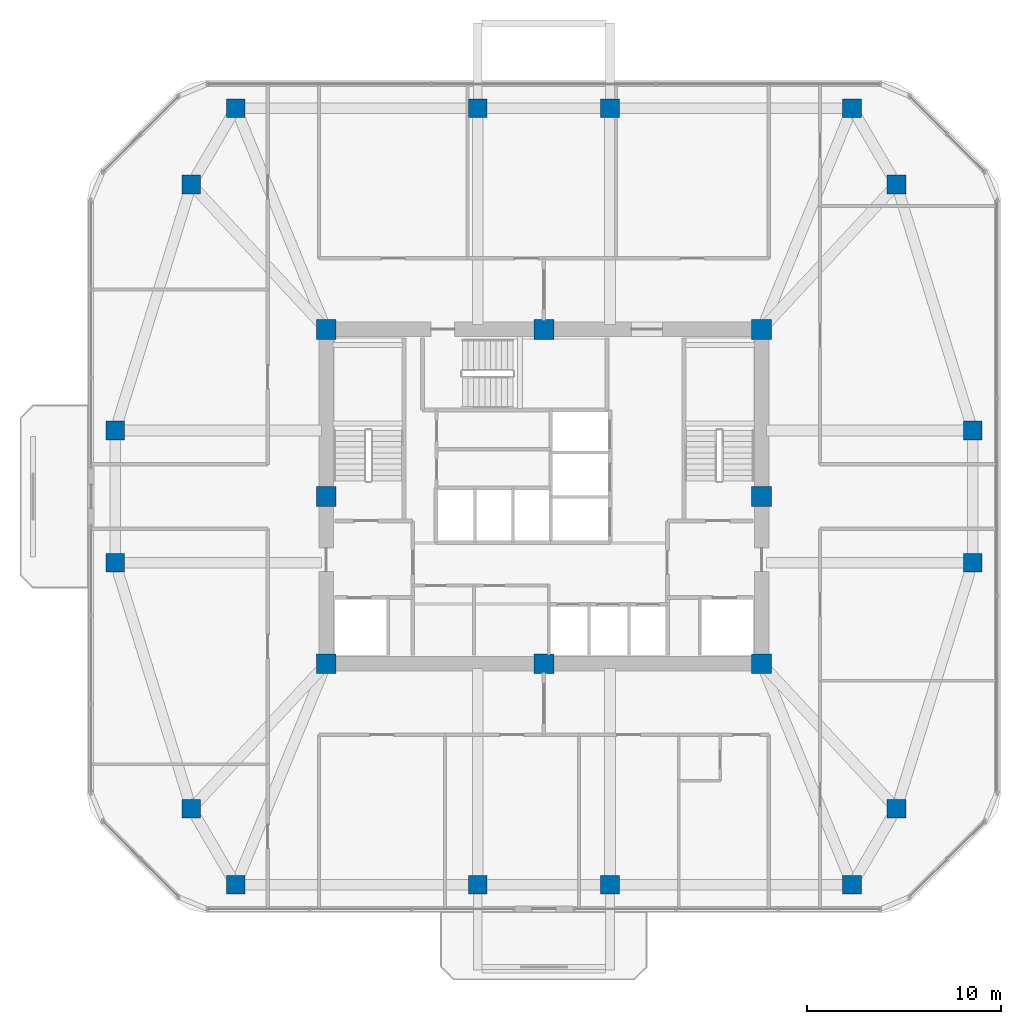
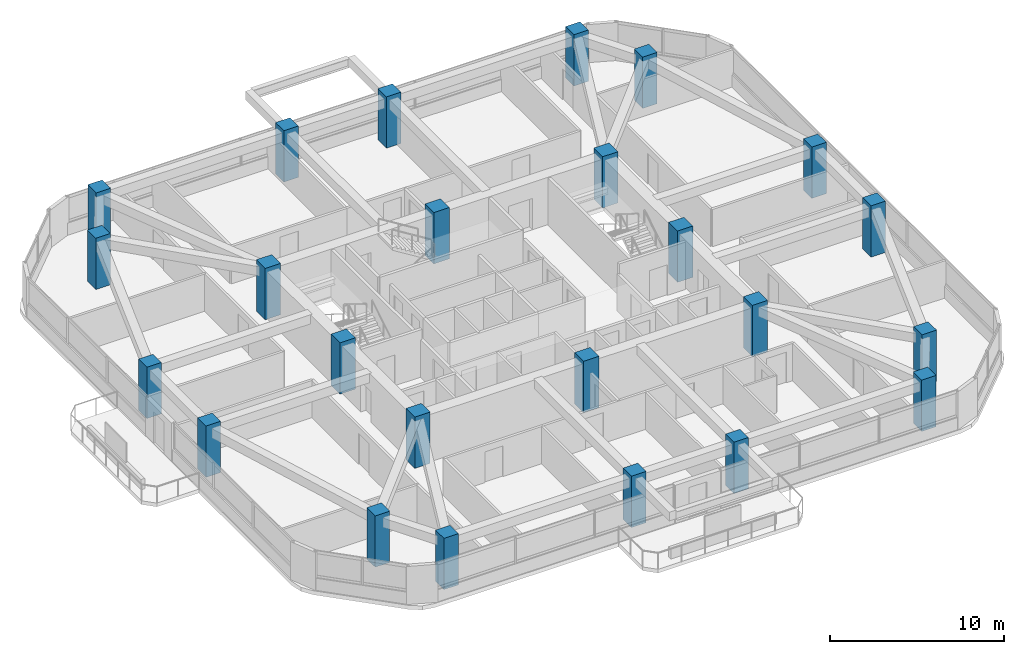
# One storey, part 1 of 12: 24 columns.
"""IFC4 building model written with IfcOpenShell, lengths in metres."""

from ifc_helpers import new_model, si_unit, derived_unit, direction, frame, origin, origin_2d, place, context, subcontext, project, spatial, rectangle, extrude, material, material_profile, profile_set, type_object, element, save


model = new_model("IFC4")

# Units and contexts
model_context = context("Model", 3, precision=1e-05, world=origin(), true_north=direction((0.0, 1.0)))
body_context = subcontext(model_context, "Body", "Model", "MODEL_VIEW")
ifc_project = project(units=[si_unit("LENGTHUNIT", "METRE"), si_unit("AREAUNIT", "SQUARE_METRE"), si_unit("VOLUMEUNIT", "CUBIC_METRE"), si_unit("PLANEANGLEUNIT", "RADIAN"), si_unit("MASSUNIT", "GRAM", prefix="KILO"), derived_unit("THERMALTRANSMITTANCEUNIT", [(si_unit("POWERUNIT", "WATT"), 1), (si_unit("LENGTHUNIT", "METRE"), -2), (si_unit("THERMODYNAMICTEMPERATUREUNIT", "KELVIN"), -1)])], contexts=[model_context])

# Site, building, storey
site_placement = place(None, origin())
site = spatial("IfcSite", under=ifc_project, at=site_placement, CompositionType="ELEMENT")
building_placement = place(site_placement, origin())
building = spatial("IfcBuilding", under=site, at=building_placement, Name="Koralith Skygarden Medical Center", CompositionType="ELEMENT")
storey_placement = place(building_placement, frame((0.0, 0.0, 163.6201171875)))
storey = spatial("IfcBuildingStorey", under=building, at=storey_placement, Name="L42", CompositionType="ELEMENT", Elevation=163.6201171875)

# Columns
ifc_material_1 = material(Name="Concrete C70/85", Category="concrete")
ifc_material_profile_1 = material_profile(ifc_material_1, rectangle(XDim=1.02001953125, YDim=1.02001953125, at=origin_2d()), Name="RC1020X1020")
ifc_profile_set_1 = profile_set([ifc_material_profile_1], Name="Concrete C70/85")
column_type_1 = type_object("IfcColumnType", Name="Core Mega-Column C70 RC1020", PredefinedType="COLUMN", material=ifc_profile_set_1)
for number, where, z_axis, x_axis, name in (
    (1, (25.800048828125, 17.300048828125, 0.0), (0.0, 0.0, 1.0), (1.0, 0.0, 0.0), "L42 Core Column CC-01"),
    (2, (37.0, 17.300048828125, 0.0), (0.0, 0.0, 1.0), (1.0, 0.0, 0.0), "L42 Core Column CC-02"),
    (3, (48.199951171875, 17.300048828125, 0.0), (0.0, 0.0, 1.0), (1.0, 0.0, 0.0), "L42 Core Column CC-03"),
    (4, (48.199951171875, 25.89990234375, 0.0), (0.0, 0.0, 1.0), (1.0, 0.0, 0.0), "L42 Core Column CC-04"),
    (5, (48.199951171875, 34.5, 0.0), (0.0, 0.0, 1.0), (1.0, 0.0, 0.0), "L42 Core Column CC-05"),
    (6, (37.0, 34.5, 0.0), (0.0, 0.0, 1.0), (1.0, 0.0, 0.0), "L42 Core Column CC-06"),
    (7, (25.800048828125, 34.5, 0.0), (0.0, 0.0, 1.0), (1.0, 0.0, 0.0), "L42 Core Column CC-07"),
    (8, (25.800048828125, 25.89990234375, 0.0), (0.0, 0.0, 1.0), (1.0, 0.0, 0.0), "L42 Core Column CC-08"),
):
    element("IfcColumn", number, at=place(storey_placement, frame(where, z_axis=z_axis, x_axis=x_axis)), inside=storey, type_object=column_type_1, Name=name, PredefinedType="COLUMN", context=body_context, shape_type="SweptSolid", body=[
        extrude(rectangle(XDim=1.02001953125, YDim=1.02001953125, at=origin_2d()), origin(), (0.0, 0.0, 1.0), 3.599853515625),
    ])
ifc_material_2 = material(Name="Concrete C55/67", Category="concrete")
ifc_material_profile_2 = material_profile(ifc_material_2, rectangle(XDim=0.9599609375, YDim=0.9599609375, at=origin_2d()), Name="RC960X960")
ifc_profile_set_2 = profile_set([ifc_material_profile_2], Name="Concrete C55/67")
column_type_2 = type_object("IfcColumnType", Name="Zone 3 Waist Mega-Column C55 RC960", PredefinedType="COLUMN", material=ifc_profile_set_2)
for number, where, z_axis, x_axis, name in (
    (9, (14.93603515625, 22.5, 0.0), (0.0, 0.0, 1.0), (1.0, 0.0, 0.0), "L42 Perimeter Mega-Column MC-01"),
    (10, (18.85595703125, 9.840087890625, 0.0), (0.0, 0.0, 1.0), (1.0, 0.0, 0.0), "L42 Perimeter Mega-Column MC-02"),
    (11, (21.14794921875, 5.919921875, 0.0), (0.0, 0.0, 1.0), (1.0, 0.0, 0.0), "L42 Perimeter Mega-Column MC-03"),
    (12, (33.60009765625, 5.919921875, 0.0), (0.0, 0.0, 1.0), (1.0, 0.0, 0.0), "L42 Perimeter Mega-Column MC-04"),
    (13, (40.39990234375, 5.919921875, 0.0), (0.0, 0.0, 1.0), (1.0, 0.0, 0.0), "L42 Perimeter Mega-Column MC-05"),
    (14, (52.85205078125, 5.919921875, 0.0), (0.0, 0.0, 1.0), (1.0, 0.0, 0.0), "L42 Perimeter Mega-Column MC-06"),
    (15, (55.14404296875, 9.840087890625, 0.0), (0.0, 0.0, 1.0), (1.0, 0.0, 0.0), "L42 Perimeter Mega-Column MC-07"),
    (16, (59.06396484375, 22.5, 0.0), (0.0, 0.0, 1.0), (1.0, 0.0, 0.0), "L42 Perimeter Mega-Column MC-08"),
    (17, (59.06396484375, 29.300048828125, 0.0), (0.0, 0.0, 1.0), (1.0, 0.0, 0.0), "L42 Perimeter Mega-Column MC-09"),
    (18, (55.14404296875, 41.9599609375, 0.0), (0.0, 0.0, 1.0), (1.0, 0.0, 0.0), "L42 Perimeter Mega-Column MC-10"),
    (19, (52.85205078125, 45.8798828125, 0.0), (0.0, 0.0, 1.0), (1.0, 0.0, 0.0), "L42 Perimeter Mega-Column MC-11"),
    (20, (40.39990234375, 45.8798828125, 0.0), (0.0, 0.0, 1.0), (1.0, 0.0, 0.0), "L42 Perimeter Mega-Column MC-12"),
    (21, (33.60009765625, 45.8798828125, 0.0), (0.0, 0.0, 1.0), (1.0, 0.0, 0.0), "L42 Perimeter Mega-Column MC-13"),
    (22, (21.14794921875, 45.8798828125, 0.0), (0.0, 0.0, 1.0), (1.0, 0.0, 0.0), "L42 Perimeter Mega-Column MC-14"),
    (23, (18.85595703125, 41.9599609375, 0.0), (0.0, 0.0, 1.0), (1.0, 0.0, 0.0), "L42 Perimeter Mega-Column MC-15"),
    (24, (14.93603515625, 29.300048828125, 0.0), (0.0, 0.0, 1.0), (1.0, 0.0, 0.0), "L42 Perimeter Mega-Column MC-16"),
):
    element("IfcColumn", number, at=place(storey_placement, frame(where, z_axis=z_axis, x_axis=x_axis)), inside=storey, type_object=column_type_2, Name=name, PredefinedType="COLUMN", context=body_context, shape_type="SweptSolid", body=[
        extrude(rectangle(XDim=0.9599609375, YDim=0.9599609375, at=origin_2d()), origin(), (0.0, 0.0, 1.0), 3.599853515625),
    ])

save(model, "model.ifc")
